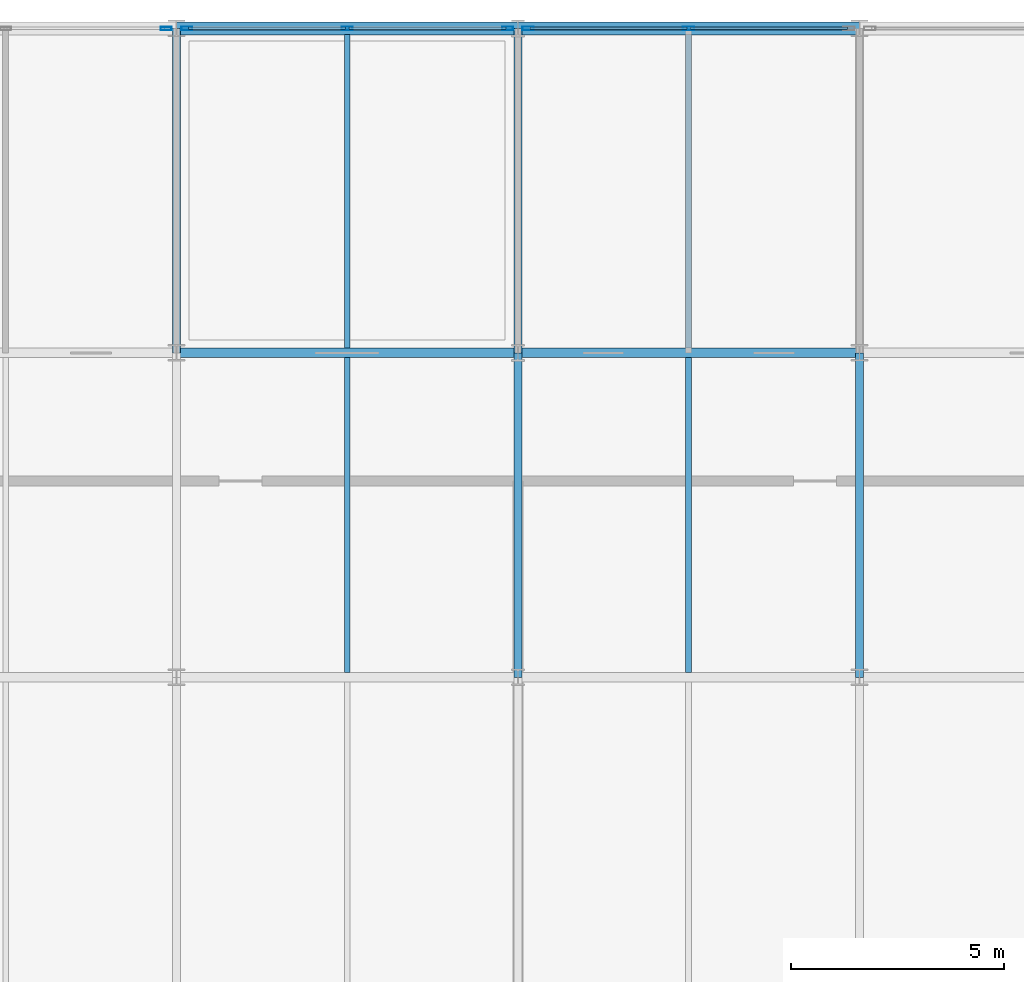
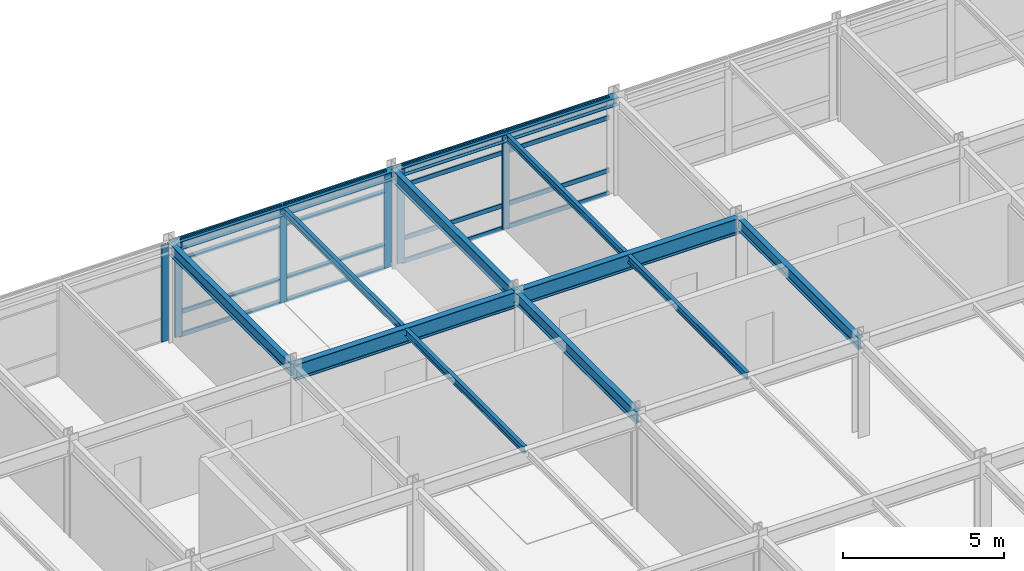
# One storey, part 7 of 18: 22 members, 12 beams, 3 elements without a shape of their own.
"""IFC4 building model written with IfcOpenShell, lengths in metres."""

from ifc_helpers import new_model, si_unit, direction, frame, origin, origin_2d, place, context, subcontext, project, spatial, hollow_rectangle, i_section, extrude, material, layer, layer_set, material_profile, profile_set, type_object, element, aggregate, save


model = new_model("IFC4")

# Units and contexts
model_context = context("Model", 3, precision=1e-05, world=origin(), true_north=direction((0.0, 1.0)))
body_context = subcontext(model_context, "Body", "Model", "MODEL_VIEW")
ifc_project = project(units=[si_unit("LENGTHUNIT", "METRE"), si_unit("AREAUNIT", "SQUARE_METRE"), si_unit("VOLUMEUNIT", "CUBIC_METRE"), si_unit("PLANEANGLEUNIT", "RADIAN"), si_unit("MASSUNIT", "GRAM", prefix="KILO")], contexts=[model_context])

# Site, building, storey
site_placement = place(None, origin())
site = spatial("IfcSite", under=ifc_project, at=site_placement, CompositionType="ELEMENT")
building_placement = place(site_placement, origin())
building = spatial("IfcBuilding", under=site, at=building_placement, Name="Shalkamar Park Central Library", CompositionType="ELEMENT")
storey_placement = place(building_placement, frame((0.0, 0.0, 24.300048828125)))
storey = spatial("IfcBuildingStorey", under=building, at=storey_placement, Name="L06", CompositionType="ELEMENT", Elevation=24.300048828125)

# Beams
ifc_material_1 = material(Name="Steel S355", Category="steel")
ifc_material_profile_1 = material_profile(ifc_material_1, i_section(OverallWidth=0.135009765625, OverallDepth=0.27001953125, WebThickness=0.006591796875, FlangeThickness=0.01025390625, FilletRadius=0.014892578125, at=origin_2d()), Name="IPE 270")
ifc_profile_set_1 = profile_set([ifc_material_profile_1], Name="Steel S355")
beam_type_1 = type_object("IfcBeamType", Name="Composite Floor Joist IPE270", PredefinedType="JOIST", material=ifc_profile_set_1)
beam_1_placement = place(storey_placement, frame((185.0, 278.10791015625, 3.52490234375), z_axis=(0.0, 1.0, 0.0), x_axis=(-1.0, 0.0, 0.0)))
element("IfcBeam", 1, at=beam_1_placement, inside=storey, type_object=beam_type_1, Name="Composite Joist 09/F-1 (L06)", PredefinedType="JOIST", context=body_context, shape_type="SweptSolid", body=[
    extrude(i_section(OverallWidth=0.135009765625, OverallDepth=0.27001953125, WebThickness=0.006591796875, FlangeThickness=0.01025390625, FilletRadius=0.014892578125, at=origin_2d()), origin(), (0.0, 0.0, 1.0), 7.384033203125),
])
beam_2_placement = place(storey_placement, frame((185.0, 285.7080078125, 3.52490234375), z_axis=(0.0, 1.0, 0.0), x_axis=(-1.0, 0.0, 0.0)))
element("IfcBeam", 2, at=beam_2_placement, inside=storey, type_object=beam_type_1, Name="Composite Joist 09/G-1 (L06)", PredefinedType="JOIST", context=body_context, shape_type="SweptSolid", body=[
    extrude(i_section(OverallWidth=0.135009765625, OverallDepth=0.27001953125, WebThickness=0.006591796875, FlangeThickness=0.01025390625, FilletRadius=0.014892578125, at=origin_2d()), origin(), (0.0, 0.0, 1.0), 7.343994140625),
])
beam_3_placement = place(storey_placement, frame((193.0, 278.10791015625, 3.52490234375), z_axis=(0.0, 1.0, 0.0), x_axis=(-1.0, 0.0, 0.0)))
element("IfcBeam", 3, at=beam_3_placement, inside=storey, type_object=beam_type_1, Name="Composite Joist 10/F-1 (L06)", PredefinedType="JOIST", context=body_context, shape_type="SweptSolid", body=[
    extrude(i_section(OverallWidth=0.135009765625, OverallDepth=0.27001953125, WebThickness=0.006591796875, FlangeThickness=0.01025390625, FilletRadius=0.014892578125, at=origin_2d()), origin(), (0.0, 0.0, 1.0), 7.384033203125),
])
beam_4_placement = place(storey_placement, frame((193.0, 285.7080078125, 3.52490234375), z_axis=(0.0, 1.0, 0.0), x_axis=(-1.0, 0.0, 0.0)))
element("IfcBeam", 4, at=beam_4_placement, inside=storey, type_object=beam_type_1, Name="Composite Joist 10/G-1 (L06)", PredefinedType="JOIST", context=body_context, shape_type="SweptSolid", body=[
    extrude(i_section(OverallWidth=0.135009765625, OverallDepth=0.27001953125, WebThickness=0.006591796875, FlangeThickness=0.01025390625, FilletRadius=0.014892578125, at=origin_2d()), origin(), (0.0, 0.0, 1.0), 7.343994140625),
])

# Curtain wall, member
ifc_material_2 = material(Name="Thermally broken aluminium and triple low-e curtain wall", Category="aluminium")
ifc_layer_1 = layer(ifc_material_2, 0.260009765625)
ifc_layer_set_1 = layer_set([ifc_layer_1], Name="UnitisedCurtainWall_72")
curtain_wall_type_1 = type_object("IfcCurtainWallType", Name="Unitised Curtain Wall 72", PredefinedType="USERDEFINED", material=ifc_layer_set_1)
curtain_wall_1_placement = place(storey_placement, origin())
curtain_wall_1 = element("IfcCurtainWall", 5, at=curtain_wall_1_placement, inside=storey, type_object=curtain_wall_type_1, Name="Unitised Curtain Wall CW-L06-090", ObjectType="UNITISED CURTAIN WALL", PredefinedType="USERDEFINED")
ifc_material_3 = material(Name="Aluminium 6060-T66", Category="aluminium")
ifc_material_profile_2 = material_profile(ifc_material_3, hollow_rectangle(XDim=0.074951171875, YDim=0.260009765625, WallThickness=0.00439453125, InnerFilletRadius=0.00439453125, OuterFilletRadius=0.0068359375, at=origin_2d()), Name="ALU 75x260x4.5")
ifc_profile_set_2 = profile_set([ifc_material_profile_2], Name="Aluminium 6060-T66")
member_type_1 = type_object("IfcMemberType", Name="Curtain Wall Mullion ALU75x260", PredefinedType="MULLION", material=ifc_profile_set_2)
member_1_placement = place(storey_placement, frame((180.759521484375, 293.199951171875, 0.0), z_axis=(0.0, 0.0, 1.0), x_axis=(0.0, 1.0, 0.0)))
member_1 = element("IfcMember", 6, at=member_1_placement, type_object=member_type_1, Name="CW-72 mullion 3", PredefinedType="MULLION", context=body_context, shape_type="SweptSolid", body=[
    extrude(hollow_rectangle(XDim=0.074951171875, YDim=0.260009765625, WallThickness=0.00439453125, InnerFilletRadius=0.00439453125, OuterFilletRadius=0.0068359375, at=origin_2d()), origin(), (0.0, 0.0, 1.0), 3.659912109375),
])
aggregate(curtain_wall_1, [member_1])

# Curtain wall, members
ifc_layer_2 = layer(ifc_material_2, 0.2548828125)
ifc_layer_set_2 = layer_set([ifc_layer_2], Name="UnitisedCurtainWall_69")
curtain_wall_type_2 = type_object("IfcCurtainWallType", Name="Unitised Curtain Wall 69", PredefinedType="USERDEFINED", material=ifc_layer_set_2)
curtain_wall_2_placement = place(storey_placement, origin())
curtain_wall_2 = element("IfcCurtainWall", 7, at=curtain_wall_2_placement, inside=storey, type_object=curtain_wall_type_2, Name="Unitised Curtain Wall CW-L06-091", ObjectType="UNITISED CURTAIN WALL", PredefinedType="USERDEFINED")
ifc_material_profile_3 = material_profile(ifc_material_3, hollow_rectangle(XDim=0.080078125, YDim=0.2548828125, WallThickness=0.00439453125, InnerFilletRadius=0.00439453125, OuterFilletRadius=0.0068359375, at=origin_2d()), Name="ALU 80x255x4.5")
ifc_profile_set_3 = profile_set([ifc_material_profile_3], Name="Aluminium 6060-T66")
member_type_2 = type_object("IfcMemberType", Name="Curtain Wall Mullion ALU80x255", PredefinedType="MULLION", material=ifc_profile_set_3)
member_2_placement = place(storey_placement, frame((181.242919921875, 293.199951171875, 0.0), z_axis=(0.0, 0.0, 1.0), x_axis=(0.0, 1.0, 0.0)))
member_2 = element("IfcMember", 8, at=member_2_placement, type_object=member_type_2, Name="CW-69 mullion 1", PredefinedType="MULLION", context=body_context, shape_type="SweptSolid", body=[
    extrude(hollow_rectangle(XDim=0.080078125, YDim=0.2548828125, WallThickness=0.00439453125, InnerFilletRadius=0.00439453125, OuterFilletRadius=0.0068359375, at=origin_2d()), origin(), (0.0, 0.0, 1.0), 3.659912109375),
])
member_3_placement = place(storey_placement, frame((185.000732421875, 293.199951171875, 0.0), z_axis=(0.0, 0.0, 1.0), x_axis=(0.0, 1.0, 0.0)))
member_3 = element("IfcMember", 9, at=member_3_placement, type_object=member_type_2, Name="CW-69 mullion 2", PredefinedType="MULLION", context=body_context, shape_type="SweptSolid", body=[
    extrude(hollow_rectangle(XDim=0.080078125, YDim=0.2548828125, WallThickness=0.00439453125, InnerFilletRadius=0.00439453125, OuterFilletRadius=0.0068359375, at=origin_2d()), origin(), (0.0, 0.0, 1.0), 3.659912109375),
])
member_4_placement = place(storey_placement, frame((188.758544921875, 293.199951171875, 0.0), z_axis=(0.0, 0.0, 1.0), x_axis=(0.0, 1.0, 0.0)))
member_4 = element("IfcMember", 10, at=member_4_placement, type_object=member_type_2, Name="CW-69 mullion 3", PredefinedType="MULLION", context=body_context, shape_type="SweptSolid", body=[
    extrude(hollow_rectangle(XDim=0.080078125, YDim=0.2548828125, WallThickness=0.00439453125, InnerFilletRadius=0.00439453125, OuterFilletRadius=0.0068359375, at=origin_2d()), origin(), (0.0, 0.0, 1.0), 3.659912109375),
])

ifc_layer_3 = layer(ifc_material_2, 0.27001953125)
ifc_layer_set_3 = layer_set([ifc_layer_3], Name="UnitisedCurtainWall_70")
curtain_wall_type_3 = type_object("IfcCurtainWallType", Name="Unitised Curtain Wall 70", PredefinedType="USERDEFINED", material=ifc_layer_set_3)
curtain_wall_3_placement = place(storey_placement, origin())
curtain_wall_3 = element("IfcCurtainWall", 11, at=curtain_wall_3_placement, inside=storey, type_object=curtain_wall_type_3, Name="Unitised Curtain Wall CW-L06-092", ObjectType="UNITISED CURTAIN WALL", PredefinedType="USERDEFINED")
ifc_material_profile_4 = material_profile(ifc_material_3, hollow_rectangle(XDim=0.080078125, YDim=0.27001953125, WallThickness=0.0048828125, InnerFilletRadius=0.0048828125, OuterFilletRadius=0.007568359375, at=origin_2d()), Name="ALU 80x270x5")
ifc_profile_set_4 = profile_set([ifc_material_profile_4], Name="Aluminium 6060-T66")
member_type_3 = type_object("IfcMemberType", Name="Curtain Wall Mullion ALU80x270", PredefinedType="MULLION", material=ifc_profile_set_4)
member_5_placement = place(storey_placement, frame((189.241455078125, 293.199951171875, 0.0), z_axis=(0.0, 0.0, 1.0), x_axis=(0.0, 1.0, 0.0)))
member_5 = element("IfcMember", 12, at=member_5_placement, type_object=member_type_3, Name="CW-70 mullion 1", PredefinedType="MULLION", context=body_context, shape_type="SweptSolid", body=[
    extrude(hollow_rectangle(XDim=0.080078125, YDim=0.27001953125, WallThickness=0.0048828125, InnerFilletRadius=0.0048828125, OuterFilletRadius=0.007568359375, at=origin_2d()), origin(), (0.0, 0.0, 1.0), 3.659912109375),
])
member_6_placement = place(storey_placement, frame((192.999267578125, 293.199951171875, 0.0), z_axis=(0.0, 0.0, 1.0), x_axis=(0.0, 1.0, 0.0)))
member_6 = element("IfcMember", 13, at=member_6_placement, type_object=member_type_3, Name="CW-70 mullion 2", PredefinedType="MULLION", context=body_context, shape_type="SweptSolid", body=[
    extrude(hollow_rectangle(XDim=0.080078125, YDim=0.27001953125, WallThickness=0.0048828125, InnerFilletRadius=0.0048828125, OuterFilletRadius=0.007568359375, at=origin_2d()), origin(), (0.0, 0.0, 1.0), 3.659912109375),
])

# Member
ifc_material_profile_5 = material_profile(ifc_material_3, hollow_rectangle(XDim=0.06494140625, YDim=0.169921875, WallThickness=0.00390625, InnerFilletRadius=0.00390625, OuterFilletRadius=0.006103515625, at=origin_2d()), Name="ALU 65x170x4")
ifc_profile_set_5 = profile_set([ifc_material_profile_5], Name="Aluminium 6060-T66")
member_type_4 = type_object("IfcMemberType", Name="Curtain Wall Transom ALU65x170", PredefinedType="USERDEFINED", material=ifc_profile_set_5)
member_7_placement = place(storey_placement, frame((181.282958984375, 293.199951171875, 0.032470703125), z_axis=(1.0, 0.0, 0.0), x_axis=(0.0, 1.0, 0.0)))
member_7 = element("IfcMember", 14, at=member_7_placement, type_object=member_type_4, Name="CW-69 transom 1.1", ObjectType="TRANSOM", PredefinedType="USERDEFINED", context=body_context, shape_type="SweptSolid", body=[
    extrude(hollow_rectangle(XDim=0.06494140625, YDim=0.169921875, WallThickness=0.00390625, InnerFilletRadius=0.00390625, OuterFilletRadius=0.006103515625, at=origin_2d()), origin(), (0.0, 0.0, 1.0), 3.677734375),
])

member_8_placement = place(storey_placement, frame((181.282958984375, 293.199951171875, 0.89990234375), z_axis=(1.0, 0.0, 0.0), x_axis=(0.0, 1.0, 0.0)))
member_8 = element("IfcMember", 15, at=member_8_placement, type_object=member_type_4, Name="CW-69 transom 1.2", ObjectType="TRANSOM", PredefinedType="USERDEFINED", context=body_context, shape_type="SweptSolid", body=[
    extrude(hollow_rectangle(XDim=0.06494140625, YDim=0.169921875, WallThickness=0.00390625, InnerFilletRadius=0.00390625, OuterFilletRadius=0.006103515625, at=origin_2d()), origin(), (0.0, 0.0, 1.0), 3.677734375),
])

member_9_placement = place(storey_placement, frame((181.282958984375, 293.199951171875, 2.909912109375), z_axis=(1.0, 0.0, 0.0), x_axis=(0.0, 1.0, 0.0)))
member_9 = element("IfcMember", 16, at=member_9_placement, type_object=member_type_4, Name="CW-69 transom 1.3", ObjectType="TRANSOM", PredefinedType="USERDEFINED", context=body_context, shape_type="SweptSolid", body=[
    extrude(hollow_rectangle(XDim=0.06494140625, YDim=0.169921875, WallThickness=0.00390625, InnerFilletRadius=0.00390625, OuterFilletRadius=0.006103515625, at=origin_2d()), origin(), (0.0, 0.0, 1.0), 3.677734375),
])

member_10_placement = place(storey_placement, frame((181.282958984375, 293.199951171875, 3.62744140625), z_axis=(1.0, 0.0, 0.0), x_axis=(0.0, 1.0, 0.0)))
member_10 = element("IfcMember", 17, at=member_10_placement, type_object=member_type_4, Name="CW-69 transom 1.4", ObjectType="TRANSOM", PredefinedType="USERDEFINED", context=body_context, shape_type="SweptSolid", body=[
    extrude(hollow_rectangle(XDim=0.06494140625, YDim=0.169921875, WallThickness=0.00390625, InnerFilletRadius=0.00390625, OuterFilletRadius=0.006103515625, at=origin_2d()), origin(), (0.0, 0.0, 1.0), 3.677734375),
])

member_11_placement = place(storey_placement, frame((185.040771484375, 293.199951171875, 0.032470703125), z_axis=(1.0, 0.0, 0.0), x_axis=(0.0, 1.0, 0.0)))
member_11 = element("IfcMember", 18, at=member_11_placement, type_object=member_type_4, Name="CW-69 transom 2.1", ObjectType="TRANSOM", PredefinedType="USERDEFINED", context=body_context, shape_type="SweptSolid", body=[
    extrude(hollow_rectangle(XDim=0.06494140625, YDim=0.169921875, WallThickness=0.00390625, InnerFilletRadius=0.00390625, OuterFilletRadius=0.006103515625, at=origin_2d()), origin(), (0.0, 0.0, 1.0), 3.677734375),
])

member_12_placement = place(storey_placement, frame((185.040771484375, 293.199951171875, 0.89990234375), z_axis=(1.0, 0.0, 0.0), x_axis=(0.0, 1.0, 0.0)))
member_12 = element("IfcMember", 19, at=member_12_placement, type_object=member_type_4, Name="CW-69 transom 2.2", ObjectType="TRANSOM", PredefinedType="USERDEFINED", context=body_context, shape_type="SweptSolid", body=[
    extrude(hollow_rectangle(XDim=0.06494140625, YDim=0.169921875, WallThickness=0.00390625, InnerFilletRadius=0.00390625, OuterFilletRadius=0.006103515625, at=origin_2d()), origin(), (0.0, 0.0, 1.0), 3.677734375),
])

member_13_placement = place(storey_placement, frame((185.040771484375, 293.199951171875, 2.909912109375), z_axis=(1.0, 0.0, 0.0), x_axis=(0.0, 1.0, 0.0)))
member_13 = element("IfcMember", 20, at=member_13_placement, type_object=member_type_4, Name="CW-69 transom 2.3", ObjectType="TRANSOM", PredefinedType="USERDEFINED", context=body_context, shape_type="SweptSolid", body=[
    extrude(hollow_rectangle(XDim=0.06494140625, YDim=0.169921875, WallThickness=0.00390625, InnerFilletRadius=0.00390625, OuterFilletRadius=0.006103515625, at=origin_2d()), origin(), (0.0, 0.0, 1.0), 3.677734375),
])

member_14_placement = place(storey_placement, frame((185.040771484375, 293.199951171875, 3.62744140625), z_axis=(1.0, 0.0, 0.0), x_axis=(0.0, 1.0, 0.0)))
member_14 = element("IfcMember", 21, at=member_14_placement, type_object=member_type_4, Name="CW-69 transom 2.4", ObjectType="TRANSOM", PredefinedType="USERDEFINED", context=body_context, shape_type="SweptSolid", body=[
    extrude(hollow_rectangle(XDim=0.06494140625, YDim=0.169921875, WallThickness=0.00390625, InnerFilletRadius=0.00390625, OuterFilletRadius=0.006103515625, at=origin_2d()), origin(), (0.0, 0.0, 1.0), 3.677734375),
])

aggregate(curtain_wall_2, [member_2, member_3, member_4, member_7, member_8, member_9, member_10, member_11, member_12, member_13, member_14])

ifc_material_profile_6 = material_profile(ifc_material_3, hollow_rectangle(XDim=0.06494140625, YDim=0.175048828125, WallThickness=0.00439453125, InnerFilletRadius=0.00439453125, OuterFilletRadius=0.0068359375, at=origin_2d()), Name="ALU 65x175x4.5")
ifc_profile_set_6 = profile_set([ifc_material_profile_6], Name="Aluminium 6060-T66")
member_type_5 = type_object("IfcMemberType", Name="Curtain Wall Transom ALU65x175", PredefinedType="USERDEFINED", material=ifc_profile_set_6)
member_15_placement = place(storey_placement, frame((189.281494140625, 293.199951171875, 0.032470703125), z_axis=(1.0, 0.0, 0.0), x_axis=(0.0, 1.0, 0.0)))
member_15 = element("IfcMember", 22, at=member_15_placement, type_object=member_type_5, Name="CW-70 transom 1.1", ObjectType="TRANSOM", PredefinedType="USERDEFINED", context=body_context, shape_type="SweptSolid", body=[
    extrude(hollow_rectangle(XDim=0.06494140625, YDim=0.175048828125, WallThickness=0.00439453125, InnerFilletRadius=0.00439453125, OuterFilletRadius=0.0068359375, at=origin_2d()), origin(), (0.0, 0.0, 1.0), 3.677734375),
])

member_16_placement = place(storey_placement, frame((189.281494140625, 293.199951171875, 0.89990234375), z_axis=(1.0, 0.0, 0.0), x_axis=(0.0, 1.0, 0.0)))
member_16 = element("IfcMember", 23, at=member_16_placement, type_object=member_type_5, Name="CW-70 transom 1.2", ObjectType="TRANSOM", PredefinedType="USERDEFINED", context=body_context, shape_type="SweptSolid", body=[
    extrude(hollow_rectangle(XDim=0.06494140625, YDim=0.175048828125, WallThickness=0.00439453125, InnerFilletRadius=0.00439453125, OuterFilletRadius=0.0068359375, at=origin_2d()), origin(), (0.0, 0.0, 1.0), 3.677734375),
])

member_17_placement = place(storey_placement, frame((189.281494140625, 293.199951171875, 2.909912109375), z_axis=(1.0, 0.0, 0.0), x_axis=(0.0, 1.0, 0.0)))
member_17 = element("IfcMember", 24, at=member_17_placement, type_object=member_type_5, Name="CW-70 transom 1.3", ObjectType="TRANSOM", PredefinedType="USERDEFINED", context=body_context, shape_type="SweptSolid", body=[
    extrude(hollow_rectangle(XDim=0.06494140625, YDim=0.175048828125, WallThickness=0.00439453125, InnerFilletRadius=0.00439453125, OuterFilletRadius=0.0068359375, at=origin_2d()), origin(), (0.0, 0.0, 1.0), 3.677734375),
])

member_18_placement = place(storey_placement, frame((189.281494140625, 293.199951171875, 3.62744140625), z_axis=(1.0, 0.0, 0.0), x_axis=(0.0, 1.0, 0.0)))
member_18 = element("IfcMember", 25, at=member_18_placement, type_object=member_type_5, Name="CW-70 transom 1.4", ObjectType="TRANSOM", PredefinedType="USERDEFINED", context=body_context, shape_type="SweptSolid", body=[
    extrude(hollow_rectangle(XDim=0.06494140625, YDim=0.175048828125, WallThickness=0.00439453125, InnerFilletRadius=0.00439453125, OuterFilletRadius=0.0068359375, at=origin_2d()), origin(), (0.0, 0.0, 1.0), 3.677734375),
])

member_19_placement = place(storey_placement, frame((193.039306640625, 293.199951171875, 0.032470703125), z_axis=(1.0, 0.0, 0.0), x_axis=(0.0, 1.0, 0.0)))
member_19 = element("IfcMember", 26, at=member_19_placement, type_object=member_type_5, Name="CW-70 transom 2.1", ObjectType="TRANSOM", PredefinedType="USERDEFINED", context=body_context, shape_type="SweptSolid", body=[
    extrude(hollow_rectangle(XDim=0.06494140625, YDim=0.175048828125, WallThickness=0.00439453125, InnerFilletRadius=0.00439453125, OuterFilletRadius=0.0068359375, at=origin_2d()), origin(), (0.0, 0.0, 1.0), 3.677734375),
])

member_20_placement = place(storey_placement, frame((193.039306640625, 293.199951171875, 0.89990234375), z_axis=(1.0, 0.0, 0.0), x_axis=(0.0, 1.0, 0.0)))
member_20 = element("IfcMember", 27, at=member_20_placement, type_object=member_type_5, Name="CW-70 transom 2.2", ObjectType="TRANSOM", PredefinedType="USERDEFINED", context=body_context, shape_type="SweptSolid", body=[
    extrude(hollow_rectangle(XDim=0.06494140625, YDim=0.175048828125, WallThickness=0.00439453125, InnerFilletRadius=0.00439453125, OuterFilletRadius=0.0068359375, at=origin_2d()), origin(), (0.0, 0.0, 1.0), 3.677734375),
])

member_21_placement = place(storey_placement, frame((193.039306640625, 293.199951171875, 2.909912109375), z_axis=(1.0, 0.0, 0.0), x_axis=(0.0, 1.0, 0.0)))
member_21 = element("IfcMember", 28, at=member_21_placement, type_object=member_type_5, Name="CW-70 transom 2.3", ObjectType="TRANSOM", PredefinedType="USERDEFINED", context=body_context, shape_type="SweptSolid", body=[
    extrude(hollow_rectangle(XDim=0.06494140625, YDim=0.175048828125, WallThickness=0.00439453125, InnerFilletRadius=0.00439453125, OuterFilletRadius=0.0068359375, at=origin_2d()), origin(), (0.0, 0.0, 1.0), 3.677734375),
])

member_22_placement = place(storey_placement, frame((193.039306640625, 293.199951171875, 3.62744140625), z_axis=(1.0, 0.0, 0.0), x_axis=(0.0, 1.0, 0.0)))
member_22 = element("IfcMember", 29, at=member_22_placement, type_object=member_type_5, Name="CW-70 transom 2.4", ObjectType="TRANSOM", PredefinedType="USERDEFINED", context=body_context, shape_type="SweptSolid", body=[
    extrude(hollow_rectangle(XDim=0.06494140625, YDim=0.175048828125, WallThickness=0.00439453125, InnerFilletRadius=0.00439453125, OuterFilletRadius=0.0068359375, at=origin_2d()), origin(), (0.0, 0.0, 1.0), 3.677734375),
])

aggregate(curtain_wall_3, [member_5, member_6, member_15, member_16, member_17, member_18, member_19, member_20, member_21, member_22])

# Beams
ifc_material_profile_7 = material_profile(ifc_material_1, i_section(OverallWidth=0.300048828125, OverallDepth=0.31005859375, WebThickness=0.009033203125, FlangeThickness=0.015380859375, FilletRadius=0.027099609375, at=origin_2d()), Name="HEA 320")
ifc_profile_set_7 = profile_set([ifc_material_profile_7], Name="Steel S355")
beam_type_2 = type_object("IfcBeamType", Name="Perimeter Spandrel Beam HEA320", PredefinedType="SPANDREL", material=ifc_profile_set_7)
for number, where, z_axis, x_axis, name in (
    (30, (181.0, 293.199951171875, 3.5048828125), (1.0, 0.0, 0.0), (0.0, 1.0, 0.0), "Beam H:09-10 (L06)"),
    (31, (189.0, 293.199951171875, 3.5048828125), (1.0, 0.0, 0.0), (0.0, 1.0, 0.0), "Beam H:10-11 (L06)"),
):
    element("IfcBeam", number, at=place(storey_placement, frame(where, z_axis=z_axis, x_axis=x_axis)), inside=storey, type_object=beam_type_2, Name=name, PredefinedType="SPANDREL", context=body_context, shape_type="SweptSolid", body=[
        extrude(i_section(OverallWidth=0.300048828125, OverallDepth=0.31005859375, WebThickness=0.009033203125, FlangeThickness=0.015380859375, FilletRadius=0.027099609375, at=origin_2d()), origin(), (0.0, 0.0, 1.0), 8.0),
    ])
ifc_material_profile_8 = material_profile(ifc_material_1, i_section(OverallWidth=0.18994140625, OverallDepth=0.449951171875, WebThickness=0.009521484375, FlangeThickness=0.0146484375, FilletRadius=0.02099609375, at=origin_2d()), Name="IPE 450")
ifc_profile_set_8 = profile_set([ifc_material_profile_8], Name="Steel S355")
beam_type_3 = type_object("IfcBeamType", Name="Primary Girder IPE450", PredefinedType="BEAM", material=ifc_profile_set_8)
beam_5_placement = place(storey_placement, frame((181.0, 285.60009765625, 3.43505859375), z_axis=(0.0, 1.0, 0.0), x_axis=(-1.0, 0.0, 0.0)))
element("IfcBeam", 32, at=beam_5_placement, inside=storey, type_object=beam_type_3, Name="Beam 09:G-H (L06)", PredefinedType="BEAM", context=body_context, shape_type="SweptSolid", body=[
    extrude(i_section(OverallWidth=0.18994140625, OverallDepth=0.449951171875, WebThickness=0.009521484375, FlangeThickness=0.0146484375, FilletRadius=0.02099609375, at=origin_2d()), origin(), (0.0, 0.0, 1.0), 7.599853515625),
])
beam_6_placement = place(storey_placement, frame((189.0, 278.0, 3.43505859375), z_axis=(0.0, 1.0, 0.0), x_axis=(-1.0, 0.0, 0.0)))
element("IfcBeam", 33, at=beam_6_placement, inside=storey, type_object=beam_type_3, Name="Beam 10:F-G (L06)", PredefinedType="BEAM", context=body_context, shape_type="SweptSolid", body=[
    extrude(i_section(OverallWidth=0.18994140625, OverallDepth=0.449951171875, WebThickness=0.009521484375, FlangeThickness=0.0146484375, FilletRadius=0.02099609375, at=origin_2d()), origin(), (0.0, 0.0, 1.0), 7.60009765625),
])
beam_7_placement = place(storey_placement, frame((189.0, 285.60009765625, 3.43505859375), z_axis=(0.0, 1.0, 0.0), x_axis=(-1.0, 0.0, 0.0)))
element("IfcBeam", 34, at=beam_7_placement, inside=storey, type_object=beam_type_3, Name="Beam 10:G-H (L06)", PredefinedType="BEAM", context=body_context, shape_type="SweptSolid", body=[
    extrude(i_section(OverallWidth=0.18994140625, OverallDepth=0.449951171875, WebThickness=0.009521484375, FlangeThickness=0.0146484375, FilletRadius=0.02099609375, at=origin_2d()), origin(), (0.0, 0.0, 1.0), 7.599853515625),
])
beam_8_placement = place(storey_placement, frame((197.0, 278.0, 3.43505859375), z_axis=(0.0, 1.0, 0.0), x_axis=(-1.0, 0.0, 0.0)))
element("IfcBeam", 35, at=beam_8_placement, inside=storey, type_object=beam_type_3, Name="Beam 11:F-G (L06)", PredefinedType="BEAM", context=body_context, shape_type="SweptSolid", body=[
    extrude(i_section(OverallWidth=0.18994140625, OverallDepth=0.449951171875, WebThickness=0.009521484375, FlangeThickness=0.0146484375, FilletRadius=0.02099609375, at=origin_2d()), origin(), (0.0, 0.0, 1.0), 7.60009765625),
])
ifc_material_profile_9 = material_profile(ifc_material_1, i_section(OverallWidth=0.219970703125, OverallDepth=0.60009765625, WebThickness=0.011962890625, FlangeThickness=0.01904296875, FilletRadius=0.02392578125, at=origin_2d()), Name="IPE 600")
ifc_profile_set_9 = profile_set([ifc_material_profile_9], Name="Steel S355")
beam_type_4 = type_object("IfcBeamType", Name="Primary Girder IPE600", PredefinedType="BEAM", material=ifc_profile_set_9)
for number, where, z_axis, x_axis, name in (
    (36, (181.0, 285.60009765625, 3.35986328125), (1.0, 0.0, 0.0), (0.0, 1.0, 0.0), "Beam G:09-10 (L06)"),
    (37, (189.0, 285.60009765625, 3.35986328125), (1.0, 0.0, 0.0), (0.0, 1.0, 0.0), "Beam G:10-11 (L06)"),
):
    element("IfcBeam", number, at=place(storey_placement, frame(where, z_axis=z_axis, x_axis=x_axis)), inside=storey, type_object=beam_type_4, Name=name, PredefinedType="BEAM", context=body_context, shape_type="SweptSolid", body=[
        extrude(i_section(OverallWidth=0.219970703125, OverallDepth=0.60009765625, WebThickness=0.011962890625, FlangeThickness=0.01904296875, FilletRadius=0.02392578125, at=origin_2d()), origin(), (0.0, 0.0, 1.0), 8.0),
    ])

save(model, "model.ifc")
